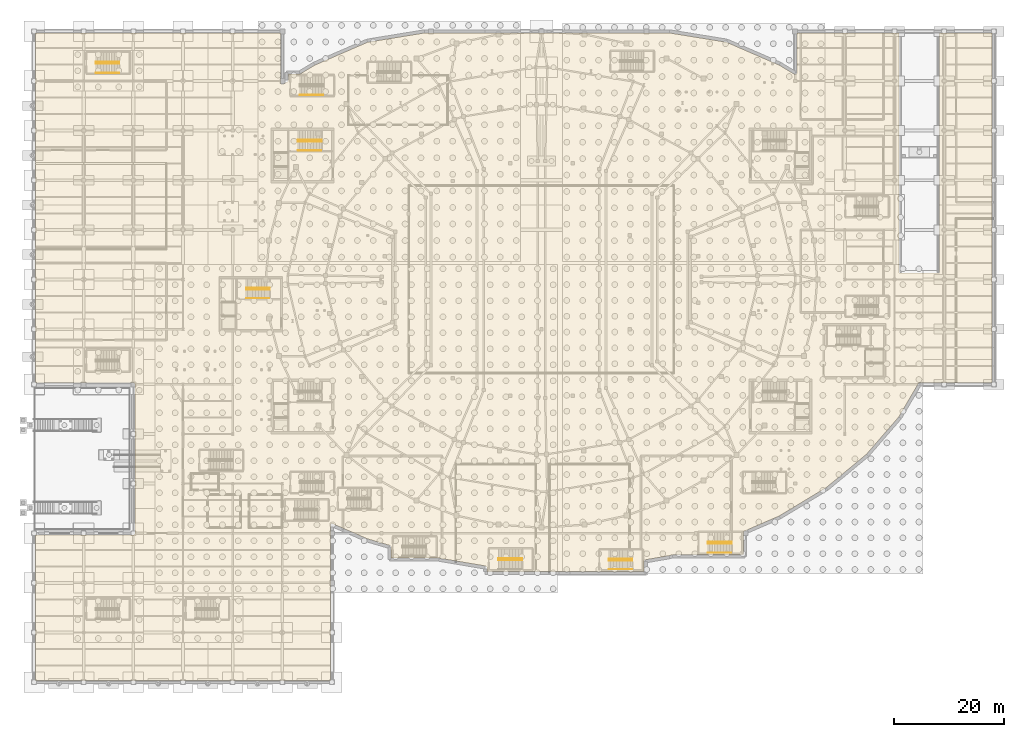
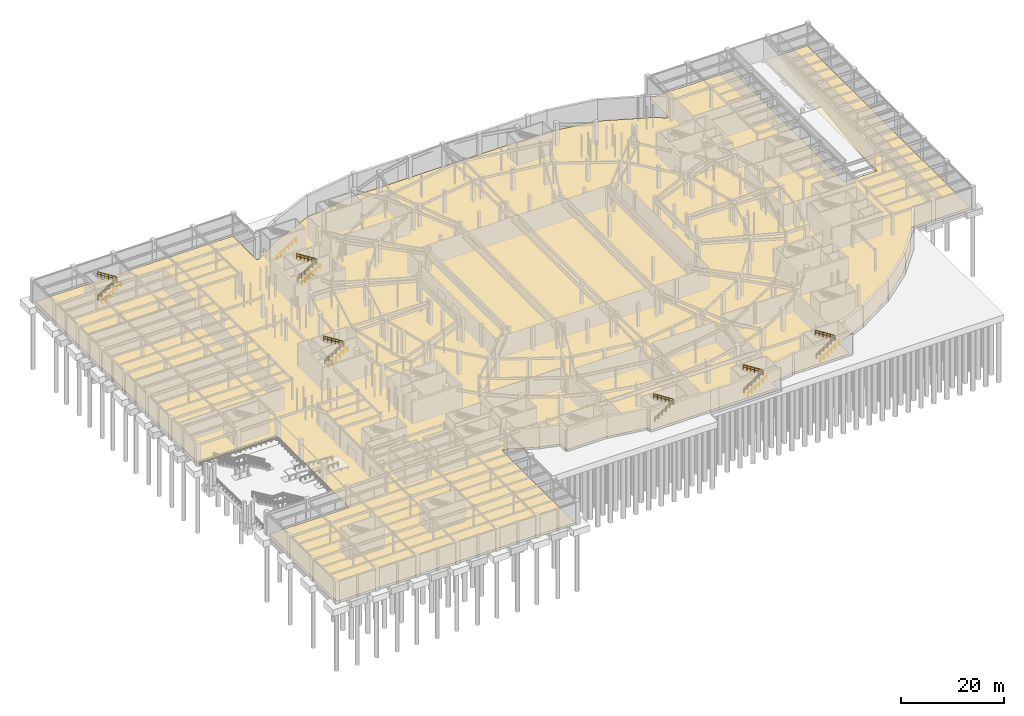
# One storey, part 54 of 56: 12 railings, 1 covering.
"""IFC4 building model written with IfcOpenShell, lengths in metres."""

from ifc_helpers import new_model, si_unit, direction, frame, origin, origin_2d, place, context, subcontext, project, spatial, polyline, circle, outline, extrude, material, layer, layer_set, type_object, element, save


model = new_model("IFC4")

# Units and contexts
model_context = context("Model", 3, precision=1e-05, world=origin(), true_north=direction((0.0, 1.0)))
body_context = subcontext(model_context, "Body", "Model", "MODEL_VIEW")
ifc_project = project(units=[si_unit("LENGTHUNIT", "METRE"), si_unit("AREAUNIT", "SQUARE_METRE"), si_unit("VOLUMEUNIT", "CUBIC_METRE"), si_unit("PLANEANGLEUNIT", "RADIAN"), si_unit("MASSUNIT", "GRAM", prefix="KILO")], contexts=[model_context])

# Site, building, storey
site_placement = place(None, origin())
site = spatial("IfcSite", under=ifc_project, at=site_placement, CompositionType="ELEMENT")
building_placement = place(site_placement, origin())
building = spatial("IfcBuilding", under=site, at=building_placement, Name="Glasvene Arena", CompositionType="ELEMENT")
storey_placement = place(building_placement, frame((0.0, 0.0, -5.39990234375)))
storey = spatial("IfcBuildingStorey", under=building, at=storey_placement, Name="B1", CompositionType="ELEMENT", Elevation=-5.39990234375)

# Covering
ifc_material_1 = material(Name="Polished Dublin limestone terrazzo flooring", Category="masonry")
ifc_layer = layer(ifc_material_1, 0.0400390625)
ifc_layer_set = layer_set([ifc_layer], Name="Polished Dublin limestone terrazzo flooring")
covering_type = type_object("IfcCoveringType", Name="COV-FLR-CONC", PredefinedType="FLOORING", material=ifc_layer_set)
covering_placement = place(storey_placement, frame((79.39111328125, 58.413330078125, -0.0400390625)))
element("IfcCovering", 1, at=covering_placement, inside=storey, type_object=covering_type, Name="Basement concourse terrazzo flooring 01", PredefinedType="FLOORING", context=body_context, shape_type="SweptSolid", body=[
    extrude(outline(polyline([(-61.092529296875, -4.384033203125), (-61.096923828125, -4.354736328125), (-61.10400390625, -4.326171875), (-61.114013671875, -4.298583984375), (-61.12646484375, -4.27197265625), (-61.1416015625, -4.24658203125), (-61.1591796875, -4.22314453125), (-61.178955078125, -4.201171875), (-61.200927734375, -4.181396484375), (-61.224365234375, -4.163818359375), (-61.249755859375, -4.148681640625), (-61.2763671875, -4.13623046875), (-61.303955078125, -4.126220703125), (-61.33251953125, -4.119140625), (-61.36181640625, -4.11474609375), (-61.39111328125, -4.11328125), (-79.091064453125, -4.11328125), (-79.091064453125, 59.28662109375), (-34.691162109375, 59.28662109375), (-34.691162109375, 50.239013671875), (-34.689697265625, 50.210205078125), (-34.685546875, 50.181640625), (-34.6787109375, 50.153564453125), (-34.669189453125, 50.12646484375), (-34.6572265625, 50.100341796875), (-34.642578125, 50.075439453125), (-34.625732421875, 50.052001953125), (-34.606689453125, 50.0302734375), (-34.585693359375, 50.010498046875), (-34.56298828125, 49.992919921875), (-34.53857421875, 49.977783203125), (-34.5126953125, 49.964599609375), (-34.48583984375, 49.954345703125), (-34.4580078125, 49.946533203125), (-34.4296875, 49.94140625), (-34.401123046875, 49.93896484375), (-34.372314453125, 49.939453125), (-34.343505859375, 49.942626953125), (-34.3154296875, 49.94873046875), (-34.287841796875, 49.957275390625), (-34.26123046875, 49.968505859375), (-34.23583984375, 49.982177734375), (-33.43603515625, 50.4658203125), (-33.410400390625, 50.48291015625), (-33.38671875, 50.502685546875), (-33.365478515625, 50.52490234375), (-33.34619140625, 50.549072265625), (-33.329833984375, 50.574951171875), (-33.316162109375, 50.602783203125), (-33.30517578125, 50.631591796875), (-33.29736328125, 50.661376953125), (-33.292724609375, 50.691650390625), (-33.291015625, 50.722412109375), (-33.291015625, 51.836669921875), (-31.25146484375, 51.836669921875), (-31.224365234375, 51.837890625), (-31.197509765625, 51.841552734375), (-31.1708984375, 51.84765625), (-31.14501953125, 51.856201171875), (-31.1201171875, 51.866943359375), (-31.09619140625, 51.8798828125), (-28.485595703125, 53.4580078125), (-18.92529296875, 57.604248046875), (-8.56982421875, 59.28662109375), (35.78759765625, 59.28662109375), (46.14306640625, 57.604248046875), (55.703369140625, 53.4580078125), (58.45361328125, 51.795654296875), (58.47900390625, 51.781982421875), (58.505615234375, 51.770751953125), (58.533203125, 51.761962890625), (58.561279296875, 51.756103515625), (58.590087890625, 51.7529296875), (58.618896484375, 51.75244140625), (58.6474609375, 51.7548828125), (58.67578125, 51.759765625), (58.70361328125, 51.767578125), (58.73046875, 51.778076171875), (58.75634765625, 51.791015625), (58.78076171875, 51.806396484375), (58.803466796875, 51.823974609375), (58.824462890625, 51.84375), (58.843505859375, 51.865478515625), (58.8603515625, 51.888671875), (58.875, 51.91357421875), (58.886962890625, 51.939697265625), (58.896484375, 51.967041015625), (58.9033203125, 51.994873046875), (58.907470703125, 52.0234375), (58.908935546875, 52.05224609375), (58.908935546875, 59.28662109375), (77.408935546875, 59.28662109375), (77.408935546875, 15.78662109375), (84.808837890625, 15.78662109375), (84.808837890625, 59.28662109375), (94.308837890625, 59.28662109375), (94.308837890625, -4.11328125), (81.189208984375, -4.11328125), (81.160888671875, -4.11474609375), (81.1328125, -4.11865234375), (81.105224609375, -4.125244140625), (81.078369140625, -4.134521484375), (81.052490234375, -4.146240234375), (81.028076171875, -4.160400390625), (81.0048828125, -4.1767578125), (80.9833984375, -4.1953125), (80.963623046875, -4.2158203125), (80.94580078125, -4.238037109375), (80.930419921875, -4.26171875), (77.3828125, -10.3232421875), (71.5263671875, -17.0869140625), (64.240234375, -23.12451171875), (55.703369140625, -28.28466796875), (49.389404296875, -31.02294921875), (49.363525390625, -31.03564453125), (49.3388671875, -31.051025390625), (49.315673828125, -31.068603515625), (49.29443359375, -31.08837890625), (49.275146484375, -31.110107421875), (49.258056640625, -31.133544921875), (49.243408203125, -31.158447265625), (49.231201171875, -31.184814453125), (49.221435546875, -31.212158203125), (49.214599609375, -31.240478515625), (49.210205078125, -31.26904296875), (49.208984375, -31.298095703125), (49.208984375, -35.313232421875), (36.361572265625, -35.313232421875), (36.333251953125, -35.314697265625), (36.304931640625, -35.31884765625), (36.27734375, -35.325439453125), (35.744140625, -35.481689453125), (31.45849609375, -36.2099609375), (31.42919921875, -36.21630859375), (31.40087890625, -36.225830078125), (31.373291015625, -36.238037109375), (31.34716796875, -36.2529296875), (31.32275390625, -36.270263671875), (31.30029296875, -36.2900390625), (31.27978515625, -36.31201171875), (31.261474609375, -36.3359375), (31.245849609375, -36.361572265625), (31.232666015625, -36.388671875), (31.22216796875, -36.416748046875), (31.21484375, -36.446044921875), (31.21044921875, -36.4755859375), (31.208984375, -36.505615234375), (31.208984375, -38.313232421875), (2.708984375, -38.313232421875), (2.708984375, -37.6396484375), (2.707275390625, -37.609375), (2.702880859375, -37.579345703125), (2.695068359375, -37.550048828125), (2.6845703125, -37.521728515625), (2.67138671875, -37.494384765625), (2.655517578125, -37.46875), (2.636962890625, -37.444580078125), (2.6162109375, -37.422607421875), (2.59326171875, -37.40283203125), (2.568359375, -37.385498046875), (2.5419921875, -37.370849609375), (2.51416015625, -37.358642578125), (2.4853515625, -37.349365234375), (2.45556640625, -37.34326171875), (2.425537109375, -37.340087890625), (2.402587890625, -37.338623046875), (-5.96142578125, -35.91748046875), (-5.986328125, -35.91455078125), (-6.011474609375, -35.913330078125), (-14.691162109375, -35.913330078125), (-14.691162109375, -33.899169921875), (-14.692626953125, -33.86962890625), (-14.697021484375, -33.84033203125), (-14.7041015625, -33.8115234375), (-14.71435546875, -33.78369140625), (-14.72705078125, -33.7568359375), (-14.742431640625, -33.7314453125), (-14.76025390625, -33.707763671875), (-14.7802734375, -33.68603515625), (-14.80224609375, -33.666015625), (-14.826171875, -33.648681640625), (-14.851806640625, -33.633544921875), (-14.878662109375, -33.62109375), (-14.90673828125, -33.611328125), (-18.907958984375, -32.4384765625), (-25.271728515625, -29.678466796875), (-25.299560546875, -29.66796875), (-25.328125, -29.660400390625), (-25.357421875, -29.655517578125), (-25.38720703125, -29.65380859375), (-25.416748046875, -29.65478515625), (-25.4462890625, -29.658935546875), (-25.47509765625, -29.665771484375), (-25.503173828125, -29.675537109375), (-25.530029296875, -29.687744140625), (-25.5556640625, -29.702880859375), (-25.579833984375, -29.720458984375), (-25.601806640625, -29.740234375), (-25.621826171875, -29.761962890625), (-25.6396484375, -29.785888671875), (-25.655029296875, -29.811279296875), (-25.66796875, -29.838134765625), (-25.677978515625, -29.865966796875), (-25.685302734375, -29.894775390625), (-25.689697265625, -29.924072265625), (-25.691162109375, -29.95361328125), (-25.691162109375, -58.11328125), (-79.091064453125, -58.11328125), (-79.091064453125, -31.71337890625), (-61.39111328125, -31.71337890625), (-61.36181640625, -31.7119140625), (-61.33251953125, -31.70751953125), (-61.303955078125, -31.700439453125), (-61.2763671875, -31.6904296875), (-61.249755859375, -31.677978515625), (-61.224365234375, -31.662841796875), (-61.200927734375, -31.645263671875), (-61.178955078125, -31.62548828125), (-61.1591796875, -31.603515625), (-61.1416015625, -31.580078125), (-61.12646484375, -31.5546875), (-61.114013671875, -31.528076171875), (-61.10400390625, -31.50048828125), (-61.096923828125, -31.471923828125), (-61.092529296875, -31.442626953125), (-61.091064453125, -31.413330078125), (-61.091064453125, -4.413330078125), (-61.092529296875, -4.384033203125)])), origin(), (0.0, 0.0, 1.0), 0.0400390625),
])

# Railings
ifc_material_2 = material(Name="Brushed stainless steel", Category="steel")
railing_type_1 = type_object("IfcRailingType", Name="RL-GUARD-1100", PredefinedType="GUARDRAIL", material=ifc_material_2)
railing_1_placement = place(storey_placement, frame((47.85009765625, 98.010009765625, 0.0)))
element("IfcRailing", 2, at=railing_1_placement, inside=storey, type_object=railing_type_1, Name="Stair inner well continuous guardrail ST-01-B1", PredefinedType="GUARDRAIL", context=body_context, shape_type="SweptSolid", body=[
    extrude(circle(Radius=0.02392578125, at=origin_2d()), frame((0.0, 0.0, 1.076171875), z_axis=(0.843501457581, 0.0, 0.537126885437), x_axis=(0.0, 1.0, 0.0)), (0.0, 0.0, 1.0), 5.026611328125),
    extrude(circle(Radius=0.01611328125, at=origin_2d()), frame((0.0, 0.0, 0.550048828125), z_axis=(0.843501457581, 0.0, 0.537126885437), x_axis=(0.0, 1.0, 0.0)), (0.0, 0.0, 1.0), 5.026611328125),
    extrude(circle(Radius=0.02392578125, at=origin_2d()), frame((4.239990234375, 0.0, 3.77587890625), z_axis=(0.0, 1.0, 0.0), x_axis=(-1.0, 0.0, 0.0)), (0.0, 0.0, 1.0), 0.330078125),
    extrude(circle(Radius=0.01611328125, at=origin_2d()), frame((4.239990234375, 0.0, 3.25), z_axis=(0.0, 1.0, 0.0), x_axis=(-1.0, 0.0, 0.0)), (0.0, 0.0, 1.0), 0.330078125),
    extrude(circle(Radius=0.02392578125, at=origin_2d()), frame((4.239990234375, 0.330078125, 3.77587890625), z_axis=(-0.843501457581, 0.0, 0.537126885437), x_axis=(0.0, -1.0, 0.0)), (0.0, 0.0, 1.0), 5.026611328125),
    extrude(circle(Radius=0.01611328125, at=origin_2d()), frame((4.239990234375, 0.330078125, 3.25), z_axis=(-0.843501457581, 0.0, 0.537126885437), x_axis=(0.0, -1.0, 0.0)), (0.0, 0.0, 1.0), 5.026611328125),
    extrude(circle(Radius=0.02099609375, at=origin_2d()), origin(), (0.0, 0.0, 1.0), 1.052001953125),
    extrude(circle(Radius=0.02099609375, at=origin_2d()), frame((0.847900390625, 0.0, 0.5400390625)), (0.0, 0.0, 1.0), 1.052001953125),
    extrude(circle(Radius=0.02099609375, at=origin_2d()), frame((1.696044921875, 0.0, 1.080078125)), (0.0, 0.0, 1.0), 1.052001953125),
    extrude(circle(Radius=0.02099609375, at=origin_2d()), frame((2.5439453125, 0.0, 1.619873046875)), (0.0, 0.0, 1.0), 1.052001953125),
    extrude(circle(Radius=0.02099609375, at=origin_2d()), frame((3.39208984375, 0.0, 2.159912109375)), (0.0, 0.0, 1.0), 1.052001953125),
    extrude(circle(Radius=0.02099609375, at=origin_2d()), frame((4.239990234375, 0.0, 2.699951171875)), (0.0, 0.0, 1.0), 1.052001953125),
    extrude(circle(Radius=0.02099609375, at=origin_2d()), frame((4.239990234375, 0.330078125, 2.699951171875)), (0.0, 0.0, 1.0), 1.052001953125),
    extrude(circle(Radius=0.02099609375, at=origin_2d()), frame((3.39208984375, 0.330078125, 3.239990234375)), (0.0, 0.0, 1.0), 1.052001953125),
    extrude(circle(Radius=0.02099609375, at=origin_2d()), frame((2.5439453125, 0.330078125, 3.780029296875)), (0.0, 0.0, 1.0), 1.052001953125),
    extrude(circle(Radius=0.02099609375, at=origin_2d()), frame((1.696044921875, 0.330078125, 4.31982421875)), (0.0, 0.0, 1.0), 1.052001953125),
    extrude(circle(Radius=0.02099609375, at=origin_2d()), frame((0.847900390625, 0.330078125, 4.85986328125)), (0.0, 0.0, 1.0), 1.052001953125),
    extrude(circle(Radius=0.02099609375, at=origin_2d()), frame((0.0, 0.330078125, 5.39990234375)), (0.0, 0.0, 1.0), 1.052001953125),
])
railing_2_placement = place(storey_placement, frame((38.449951171875, 71.159912109375, 0.0)))
element("IfcRailing", 3, at=railing_2_placement, inside=storey, type_object=railing_type_1, Name="Stair inner well continuous guardrail ST-07-B1", PredefinedType="GUARDRAIL", context=body_context, shape_type="SweptSolid", body=[
    extrude(circle(Radius=0.02392578125, at=origin_2d()), frame((0.0, 0.0, 1.076171875), z_axis=(0.843501457581, 0.0, 0.537126885437), x_axis=(0.0, 1.0, 0.0)), (0.0, 0.0, 1.0), 5.026611328125),
    extrude(circle(Radius=0.01611328125, at=origin_2d()), frame((0.0, 0.0, 0.550048828125), z_axis=(0.843501457581, 0.0, 0.537126885437), x_axis=(0.0, 1.0, 0.0)), (0.0, 0.0, 1.0), 5.026611328125),
    extrude(circle(Radius=0.02392578125, at=origin_2d()), frame((4.239990234375, 0.0, 3.77587890625), z_axis=(0.0, 1.0, 0.0), x_axis=(-1.0, 0.0, 0.0)), (0.0, 0.0, 1.0), 0.330078125),
    extrude(circle(Radius=0.01611328125, at=origin_2d()), frame((4.239990234375, 0.0, 3.25), z_axis=(0.0, 1.0, 0.0), x_axis=(-1.0, 0.0, 0.0)), (0.0, 0.0, 1.0), 0.330078125),
    extrude(circle(Radius=0.02392578125, at=origin_2d()), frame((4.239990234375, 0.330078125, 3.77587890625), z_axis=(-0.843501457581, 0.0, 0.537126885437), x_axis=(0.0, -1.0, 0.0)), (0.0, 0.0, 1.0), 5.026611328125),
    extrude(circle(Radius=0.01611328125, at=origin_2d()), frame((4.239990234375, 0.330078125, 3.25), z_axis=(-0.843501457581, 0.0, 0.537126885437), x_axis=(0.0, -1.0, 0.0)), (0.0, 0.0, 1.0), 5.026611328125),
    extrude(circle(Radius=0.02099609375, at=origin_2d()), origin(), (0.0, 0.0, 1.0), 1.052001953125),
    extrude(circle(Radius=0.02099609375, at=origin_2d()), frame((0.847900390625, 0.0, 0.5400390625)), (0.0, 0.0, 1.0), 1.052001953125),
    extrude(circle(Radius=0.02099609375, at=origin_2d()), frame((1.696044921875, 0.0, 1.080078125)), (0.0, 0.0, 1.0), 1.052001953125),
    extrude(circle(Radius=0.02099609375, at=origin_2d()), frame((2.5439453125, 0.0, 1.619873046875)), (0.0, 0.0, 1.0), 1.052001953125),
    extrude(circle(Radius=0.02099609375, at=origin_2d()), frame((3.39208984375, 0.0, 2.159912109375)), (0.0, 0.0, 1.0), 1.052001953125),
    extrude(circle(Radius=0.02099609375, at=origin_2d()), frame((4.239990234375, 0.0, 2.699951171875)), (0.0, 0.0, 1.0), 1.052001953125),
    extrude(circle(Radius=0.02099609375, at=origin_2d()), frame((4.239990234375, 0.330078125, 2.699951171875)), (0.0, 0.0, 1.0), 1.052001953125),
    extrude(circle(Radius=0.02099609375, at=origin_2d()), frame((3.39208984375, 0.330078125, 3.239990234375)), (0.0, 0.0, 1.0), 1.052001953125),
    extrude(circle(Radius=0.02099609375, at=origin_2d()), frame((2.5439453125, 0.330078125, 3.780029296875)), (0.0, 0.0, 1.0), 1.052001953125),
    extrude(circle(Radius=0.02099609375, at=origin_2d()), frame((1.696044921875, 0.330078125, 4.31982421875)), (0.0, 0.0, 1.0), 1.052001953125),
    extrude(circle(Radius=0.02099609375, at=origin_2d()), frame((0.847900390625, 0.330078125, 4.85986328125)), (0.0, 0.0, 1.0), 1.052001953125),
    extrude(circle(Radius=0.02099609375, at=origin_2d()), frame((0.0, 0.330078125, 5.39990234375)), (0.0, 0.0, 1.0), 1.052001953125),
])
railing_3_placement = place(storey_placement, frame((104.199951171875, 22.010009765625, 0.0)))
element("IfcRailing", 4, at=railing_3_placement, inside=storey, type_object=railing_type_1, Name="Stair inner well continuous guardrail ST-09-B1", PredefinedType="GUARDRAIL", context=body_context, shape_type="SweptSolid", body=[
    extrude(circle(Radius=0.02392578125, at=origin_2d()), frame((0.0, 0.0, 1.076171875), z_axis=(0.843501457581, 0.0, 0.537126885437), x_axis=(0.0, 1.0, 0.0)), (0.0, 0.0, 1.0), 5.026611328125),
    extrude(circle(Radius=0.01611328125, at=origin_2d()), frame((0.0, 0.0, 0.550048828125), z_axis=(0.843501457581, 0.0, 0.537126885437), x_axis=(0.0, 1.0, 0.0)), (0.0, 0.0, 1.0), 5.026611328125),
    extrude(circle(Radius=0.02392578125, at=origin_2d()), frame((4.239990234375, 0.0, 3.77587890625), z_axis=(0.0, 1.0, 0.0), x_axis=(-1.0, 0.0, 0.0)), (0.0, 0.0, 1.0), 0.330078125),
    extrude(circle(Radius=0.01611328125, at=origin_2d()), frame((4.239990234375, 0.0, 3.25), z_axis=(0.0, 1.0, 0.0), x_axis=(-1.0, 0.0, 0.0)), (0.0, 0.0, 1.0), 0.330078125),
    extrude(circle(Radius=0.02392578125, at=origin_2d()), frame((4.239990234375, 0.330078125, 3.77587890625), z_axis=(-0.843501457581, 0.0, 0.537126885437), x_axis=(0.0, -1.0, 0.0)), (0.0, 0.0, 1.0), 5.026611328125),
    extrude(circle(Radius=0.01611328125, at=origin_2d()), frame((4.239990234375, 0.330078125, 3.25), z_axis=(-0.843501457581, 0.0, 0.537126885437), x_axis=(0.0, -1.0, 0.0)), (0.0, 0.0, 1.0), 5.026611328125),
    extrude(circle(Radius=0.02099609375, at=origin_2d()), origin(), (0.0, 0.0, 1.0), 1.052001953125),
    extrude(circle(Radius=0.02099609375, at=origin_2d()), frame((0.847900390625, 0.0, 0.5400390625)), (0.0, 0.0, 1.0), 1.052001953125),
    extrude(circle(Radius=0.02099609375, at=origin_2d()), frame((1.696044921875, 0.0, 1.080078125)), (0.0, 0.0, 1.0), 1.052001953125),
    extrude(circle(Radius=0.02099609375, at=origin_2d()), frame((2.5439453125, 0.0, 1.619873046875)), (0.0, 0.0, 1.0), 1.052001953125),
    extrude(circle(Radius=0.02099609375, at=origin_2d()), frame((3.39208984375, 0.0, 2.159912109375)), (0.0, 0.0, 1.0), 1.052001953125),
    extrude(circle(Radius=0.02099609375, at=origin_2d()), frame((4.239990234375, 0.0, 2.699951171875)), (0.0, 0.0, 1.0), 1.052001953125),
    extrude(circle(Radius=0.02099609375, at=origin_2d()), frame((4.239990234375, 0.330078125, 2.699951171875)), (0.0, 0.0, 1.0), 1.052001953125),
    extrude(circle(Radius=0.02099609375, at=origin_2d()), frame((3.39208984375, 0.330078125, 3.239990234375)), (0.0, 0.0, 1.0), 1.052001953125),
    extrude(circle(Radius=0.02099609375, at=origin_2d()), frame((2.5439453125, 0.330078125, 3.780029296875)), (0.0, 0.0, 1.0), 1.052001953125),
    extrude(circle(Radius=0.02099609375, at=origin_2d()), frame((1.696044921875, 0.330078125, 4.31982421875)), (0.0, 0.0, 1.0), 1.052001953125),
    extrude(circle(Radius=0.02099609375, at=origin_2d()), frame((0.847900390625, 0.330078125, 4.85986328125)), (0.0, 0.0, 1.0), 1.052001953125),
    extrude(circle(Radius=0.02099609375, at=origin_2d()), frame((0.0, 0.330078125, 5.39990234375)), (0.0, 0.0, 1.0), 1.052001953125),
])
railing_4_placement = place(storey_placement, frame((11.199951171875, 112.110107421875, 0.0)))
element("IfcRailing", 5, at=railing_4_placement, inside=storey, type_object=railing_type_1, Name="Stair inner well continuous guardrail ST-14-B1", PredefinedType="GUARDRAIL", context=body_context, shape_type="SweptSolid", body=[
    extrude(circle(Radius=0.02392578125, at=origin_2d()), frame((0.0, 0.0, 1.076171875), z_axis=(0.843501457581, 0.0, 0.537126885437), x_axis=(0.0, 1.0, 0.0)), (0.0, 0.0, 1.0), 5.026611328125),
    extrude(circle(Radius=0.01611328125, at=origin_2d()), frame((0.0, 0.0, 0.550048828125), z_axis=(0.843501457581, 0.0, 0.537126885437), x_axis=(0.0, 1.0, 0.0)), (0.0, 0.0, 1.0), 5.026611328125),
    extrude(circle(Radius=0.02392578125, at=origin_2d()), frame((4.239990234375, 0.0, 3.77587890625), z_axis=(0.0, 1.0, 0.0), x_axis=(-1.0, 0.0, 0.0)), (0.0, 0.0, 1.0), 0.329833984375),
    extrude(circle(Radius=0.01611328125, at=origin_2d()), frame((4.239990234375, 0.0, 3.25), z_axis=(0.0, 1.0, 0.0), x_axis=(-1.0, 0.0, 0.0)), (0.0, 0.0, 1.0), 0.329833984375),
    extrude(circle(Radius=0.02392578125, at=origin_2d()), frame((4.239990234375, 0.329833984375, 3.77587890625), z_axis=(-0.843501457581, 0.0, 0.537126885437), x_axis=(0.0, -1.0, 0.0)), (0.0, 0.0, 1.0), 5.026611328125),
    extrude(circle(Radius=0.01611328125, at=origin_2d()), frame((4.239990234375, 0.329833984375, 3.25), z_axis=(-0.843501457581, 0.0, 0.537126885437), x_axis=(0.0, -1.0, 0.0)), (0.0, 0.0, 1.0), 5.026611328125),
    extrude(circle(Radius=0.02099609375, at=origin_2d()), origin(), (0.0, 0.0, 1.0), 1.052001953125),
    extrude(circle(Radius=0.02099609375, at=origin_2d()), frame((0.847900390625, 0.0, 0.5400390625)), (0.0, 0.0, 1.0), 1.052001953125),
    extrude(circle(Radius=0.02099609375, at=origin_2d()), frame((1.696044921875, 0.0, 1.080078125)), (0.0, 0.0, 1.0), 1.052001953125),
    extrude(circle(Radius=0.02099609375, at=origin_2d()), frame((2.5439453125, 0.0, 1.619873046875)), (0.0, 0.0, 1.0), 1.052001953125),
    extrude(circle(Radius=0.02099609375, at=origin_2d()), frame((3.39208984375, 0.0, 2.159912109375)), (0.0, 0.0, 1.0), 1.052001953125),
    extrude(circle(Radius=0.02099609375, at=origin_2d()), frame((4.239990234375, 0.0, 2.699951171875)), (0.0, 0.0, 1.0), 1.052001953125),
    extrude(circle(Radius=0.02099609375, at=origin_2d()), frame((4.239990234375, 0.329833984375, 2.699951171875)), (0.0, 0.0, 1.0), 1.052001953125),
    extrude(circle(Radius=0.02099609375, at=origin_2d()), frame((3.39208984375, 0.329833984375, 3.239990234375)), (0.0, 0.0, 1.0), 1.052001953125),
    extrude(circle(Radius=0.02099609375, at=origin_2d()), frame((2.5439453125, 0.329833984375, 3.780029296875)), (0.0, 0.0, 1.0), 1.052001953125),
    extrude(circle(Radius=0.02099609375, at=origin_2d()), frame((1.696044921875, 0.329833984375, 4.31982421875)), (0.0, 0.0, 1.0), 1.052001953125),
    extrude(circle(Radius=0.02099609375, at=origin_2d()), frame((0.847900390625, 0.329833984375, 4.85986328125)), (0.0, 0.0, 1.0), 1.052001953125),
    extrude(circle(Radius=0.02099609375, at=origin_2d()), frame((0.0, 0.329833984375, 5.39990234375)), (0.0, 0.0, 1.0), 1.052001953125),
])
railing_5_placement = place(storey_placement, frame((122.199951171875, 25.110107421875, 0.0)))
element("IfcRailing", 6, at=railing_5_placement, inside=storey, type_object=railing_type_1, Name="Stair inner well continuous guardrail ST-B07-B1", PredefinedType="GUARDRAIL", context=body_context, shape_type="SweptSolid", body=[
    extrude(circle(Radius=0.02392578125, at=origin_2d()), frame((0.0, 0.0, 1.076171875), z_axis=(0.843501457581, 0.0, 0.537126885437), x_axis=(0.0, 1.0, 0.0)), (0.0, 0.0, 1.0), 5.026611328125),
    extrude(circle(Radius=0.01611328125, at=origin_2d()), frame((0.0, 0.0, 0.550048828125), z_axis=(0.843501457581, 0.0, 0.537126885437), x_axis=(0.0, 1.0, 0.0)), (0.0, 0.0, 1.0), 5.026611328125),
    extrude(circle(Radius=0.02392578125, at=origin_2d()), frame((4.239990234375, 0.0, 3.77587890625), z_axis=(0.0, 1.0, 0.0), x_axis=(-1.0, 0.0, 0.0)), (0.0, 0.0, 1.0), 0.329833984375),
    extrude(circle(Radius=0.01611328125, at=origin_2d()), frame((4.239990234375, 0.0, 3.25), z_axis=(0.0, 1.0, 0.0), x_axis=(-1.0, 0.0, 0.0)), (0.0, 0.0, 1.0), 0.329833984375),
    extrude(circle(Radius=0.02392578125, at=origin_2d()), frame((4.239990234375, 0.329833984375, 3.77587890625), z_axis=(-0.843501457581, 0.0, 0.537126885437), x_axis=(0.0, -1.0, 0.0)), (0.0, 0.0, 1.0), 5.026611328125),
    extrude(circle(Radius=0.01611328125, at=origin_2d()), frame((4.239990234375, 0.329833984375, 3.25), z_axis=(-0.843501457581, 0.0, 0.537126885437), x_axis=(0.0, -1.0, 0.0)), (0.0, 0.0, 1.0), 5.026611328125),
    extrude(circle(Radius=0.02099609375, at=origin_2d()), origin(), (0.0, 0.0, 1.0), 1.052001953125),
    extrude(circle(Radius=0.02099609375, at=origin_2d()), frame((0.847900390625, 0.0, 0.5400390625)), (0.0, 0.0, 1.0), 1.052001953125),
    extrude(circle(Radius=0.02099609375, at=origin_2d()), frame((1.696044921875, 0.0, 1.080078125)), (0.0, 0.0, 1.0), 1.052001953125),
    extrude(circle(Radius=0.02099609375, at=origin_2d()), frame((2.5439453125, 0.0, 1.619873046875)), (0.0, 0.0, 1.0), 1.052001953125),
    extrude(circle(Radius=0.02099609375, at=origin_2d()), frame((3.39208984375, 0.0, 2.159912109375)), (0.0, 0.0, 1.0), 1.052001953125),
    extrude(circle(Radius=0.02099609375, at=origin_2d()), frame((4.239990234375, 0.0, 2.699951171875)), (0.0, 0.0, 1.0), 1.052001953125),
    extrude(circle(Radius=0.02099609375, at=origin_2d()), frame((4.239990234375, 0.329833984375, 2.699951171875)), (0.0, 0.0, 1.0), 1.052001953125),
    extrude(circle(Radius=0.02099609375, at=origin_2d()), frame((3.39208984375, 0.329833984375, 3.239990234375)), (0.0, 0.0, 1.0), 1.052001953125),
    extrude(circle(Radius=0.02099609375, at=origin_2d()), frame((2.5439453125, 0.329833984375, 3.780029296875)), (0.0, 0.0, 1.0), 1.052001953125),
    extrude(circle(Radius=0.02099609375, at=origin_2d()), frame((1.696044921875, 0.329833984375, 4.31982421875)), (0.0, 0.0, 1.0), 1.052001953125),
    extrude(circle(Radius=0.02099609375, at=origin_2d()), frame((0.847900390625, 0.329833984375, 4.85986328125)), (0.0, 0.0, 1.0), 1.052001953125),
    extrude(circle(Radius=0.02099609375, at=origin_2d()), frame((0.0, 0.329833984375, 5.39990234375)), (0.0, 0.0, 1.0), 1.052001953125),
])
railing_6_placement = place(storey_placement, frame((84.199951171875, 22.110107421875, 0.0)))
element("IfcRailing", 7, at=railing_6_placement, inside=storey, type_object=railing_type_1, Name="Stair inner well continuous guardrail ST-B08-B1", PredefinedType="GUARDRAIL", context=body_context, shape_type="SweptSolid", body=[
    extrude(circle(Radius=0.02392578125, at=origin_2d()), frame((0.0, 0.0, 1.076171875), z_axis=(0.843501457581, 0.0, 0.537126885437), x_axis=(0.0, 1.0, 0.0)), (0.0, 0.0, 1.0), 5.026611328125),
    extrude(circle(Radius=0.01611328125, at=origin_2d()), frame((0.0, 0.0, 0.550048828125), z_axis=(0.843501457581, 0.0, 0.537126885437), x_axis=(0.0, 1.0, 0.0)), (0.0, 0.0, 1.0), 5.026611328125),
    extrude(circle(Radius=0.02392578125, at=origin_2d()), frame((4.239990234375, 0.0, 3.77587890625), z_axis=(0.0, 1.0, 0.0), x_axis=(-1.0, 0.0, 0.0)), (0.0, 0.0, 1.0), 0.329833984375),
    extrude(circle(Radius=0.01611328125, at=origin_2d()), frame((4.239990234375, 0.0, 3.25), z_axis=(0.0, 1.0, 0.0), x_axis=(-1.0, 0.0, 0.0)), (0.0, 0.0, 1.0), 0.329833984375),
    extrude(circle(Radius=0.02392578125, at=origin_2d()), frame((4.239990234375, 0.329833984375, 3.77587890625), z_axis=(-0.843501457581, 0.0, 0.537126885437), x_axis=(0.0, -1.0, 0.0)), (0.0, 0.0, 1.0), 5.026611328125),
    extrude(circle(Radius=0.01611328125, at=origin_2d()), frame((4.239990234375, 0.329833984375, 3.25), z_axis=(-0.843501457581, 0.0, 0.537126885437), x_axis=(0.0, -1.0, 0.0)), (0.0, 0.0, 1.0), 5.026611328125),
    extrude(circle(Radius=0.02099609375, at=origin_2d()), origin(), (0.0, 0.0, 1.0), 1.052001953125),
    extrude(circle(Radius=0.02099609375, at=origin_2d()), frame((0.847900390625, 0.0, 0.5400390625)), (0.0, 0.0, 1.0), 1.052001953125),
    extrude(circle(Radius=0.02099609375, at=origin_2d()), frame((1.696044921875, 0.0, 1.080078125)), (0.0, 0.0, 1.0), 1.052001953125),
    extrude(circle(Radius=0.02099609375, at=origin_2d()), frame((2.5439453125, 0.0, 1.619873046875)), (0.0, 0.0, 1.0), 1.052001953125),
    extrude(circle(Radius=0.02099609375, at=origin_2d()), frame((3.39208984375, 0.0, 2.159912109375)), (0.0, 0.0, 1.0), 1.052001953125),
    extrude(circle(Radius=0.02099609375, at=origin_2d()), frame((4.239990234375, 0.0, 2.699951171875)), (0.0, 0.0, 1.0), 1.052001953125),
    extrude(circle(Radius=0.02099609375, at=origin_2d()), frame((4.239990234375, 0.329833984375, 2.699951171875)), (0.0, 0.0, 1.0), 1.052001953125),
    extrude(circle(Radius=0.02099609375, at=origin_2d()), frame((3.39208984375, 0.329833984375, 3.239990234375)), (0.0, 0.0, 1.0), 1.052001953125),
    extrude(circle(Radius=0.02099609375, at=origin_2d()), frame((2.5439453125, 0.329833984375, 3.780029296875)), (0.0, 0.0, 1.0), 1.052001953125),
    extrude(circle(Radius=0.02099609375, at=origin_2d()), frame((1.696044921875, 0.329833984375, 4.31982421875)), (0.0, 0.0, 1.0), 1.052001953125),
    extrude(circle(Radius=0.02099609375, at=origin_2d()), frame((0.847900390625, 0.329833984375, 4.85986328125)), (0.0, 0.0, 1.0), 1.052001953125),
    extrude(circle(Radius=0.02099609375, at=origin_2d()), frame((0.0, 0.329833984375, 5.39990234375)), (0.0, 0.0, 1.0), 1.052001953125),
])
railing_type_2 = type_object("IfcRailingType", Name="RL-HAND-950", PredefinedType="HANDRAIL", material=ifc_material_2)
for number, where, name in (
    (8, (47.85009765625, 96.409912109375, 0.0), "Stair wall handrail ST-01-B1"),
    (9, (38.449951171875, 69.610107421875, 0.0), "Stair wall handrail ST-07-B1"),
    (10, (104.199951171875, 20.4599609375, 0.0), "Stair wall handrail ST-09-B1"),
    (11, (48.199951171875, 106.4599609375, 0.0), "Stair wall handrail ST-12-B1"),
    (12, (11.199951171875, 110.4599609375, 0.0), "Stair wall handrail ST-14-B1"),
    (13, (122.199951171875, 23.4599609375, 0.0), "Stair wall handrail ST-B07-B1"),
):
    element("IfcRailing", number, at=place(storey_placement, frame(where)), inside=storey, type_object=railing_type_2, Name=name, PredefinedType="HANDRAIL", context=body_context, shape_type="SweptSolid", body=[
        extrude(circle(Radius=0.02392578125, at=origin_2d()), frame((0.0, 0.0, 0.92578125), z_axis=(0.841180064094, 0.0, 0.540755119968), x_axis=(0.0, 1.0, 0.0)), (0.0, 0.0, 1.0), 4.992919921875),
        extrude(circle(Radius=0.02099609375, at=origin_2d()), origin(), (0.0, 0.0, 1.0), 0.90185546875),
        extrude(circle(Radius=0.02099609375, at=origin_2d()), frame((0.840087890625, 0.0, 0.5400390625)), (0.0, 0.0, 1.0), 0.90185546875),
        extrude(circle(Radius=0.02099609375, at=origin_2d()), frame((1.679931640625, 0.0, 1.080078125)), (0.0, 0.0, 1.0), 0.90185546875),
        extrude(circle(Radius=0.02099609375, at=origin_2d()), frame((2.52001953125, 0.0, 1.619873046875)), (0.0, 0.0, 1.0), 0.90185546875),
        extrude(circle(Radius=0.02099609375, at=origin_2d()), frame((3.35986328125, 0.0, 2.159912109375)), (0.0, 0.0, 1.0), 0.90185546875),
        extrude(circle(Radius=0.02099609375, at=origin_2d()), frame((4.199951171875, 0.0, 2.699951171875)), (0.0, 0.0, 1.0), 0.90185546875),
    ])

save(model, "model.ifc")
